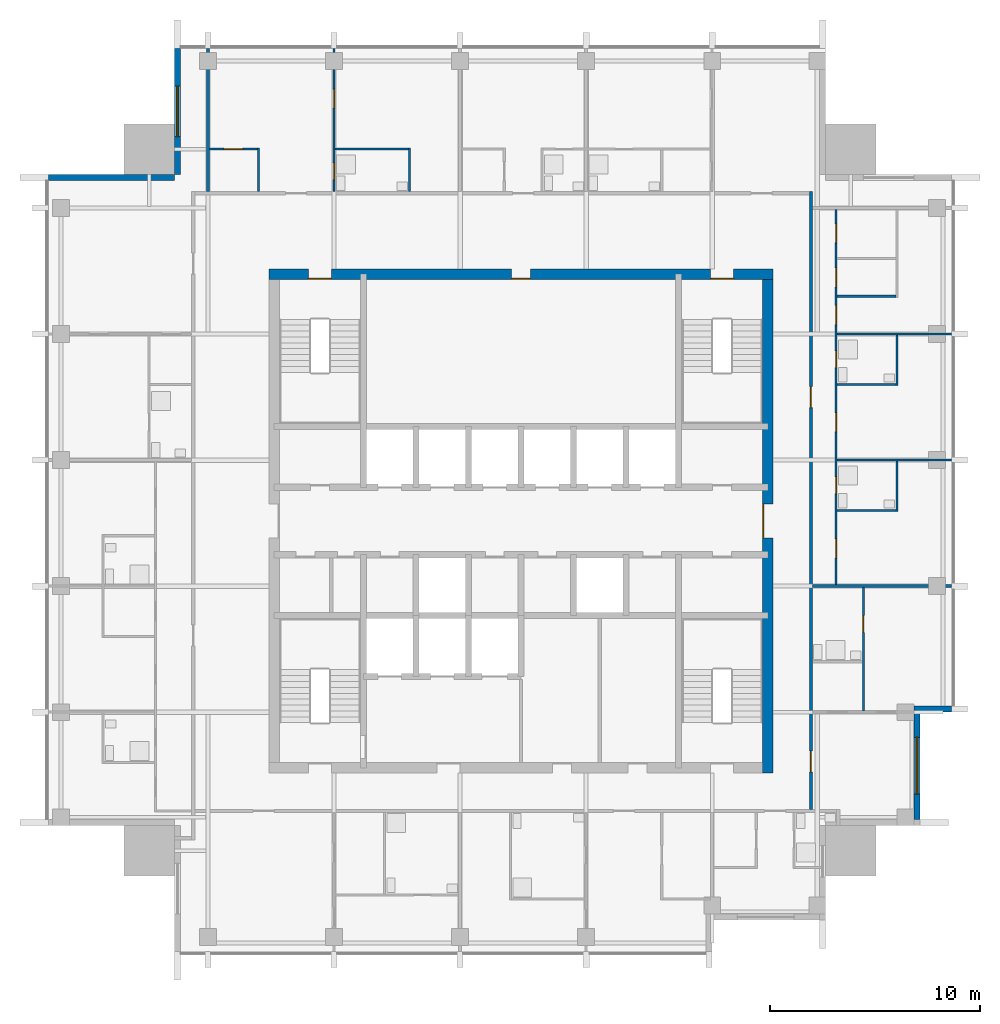
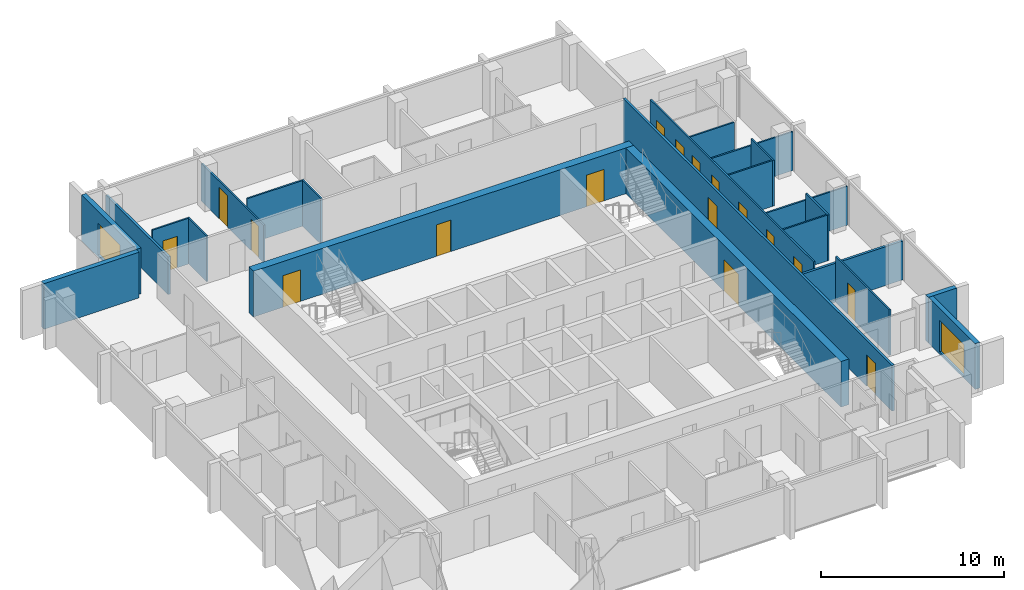
# One storey, part 6 of 9: 23 walls, 17 doors, 2 windows, 19 openings.
"""IFC4 building model written with IfcOpenShell, lengths in metres."""

from ifc_helpers import new_model, si_unit, direction, frame, frame_2d, origin, place, context, subcontext, project, spatial, rectangle, extrude, material, layer, layer_set, type_object, element, fill, save


model = new_model("IFC4")

# Units and contexts
model_context = context("Model", 3, precision=1e-05, world=origin(), true_north=direction((0.0, 1.0)))
body_context = subcontext(model_context, "Body", "Model", "MODEL_VIEW")
ifc_project = project(units=[si_unit("LENGTHUNIT", "METRE"), si_unit("AREAUNIT", "SQUARE_METRE"), si_unit("VOLUMEUNIT", "CUBIC_METRE"), si_unit("PLANEANGLEUNIT", "RADIAN"), si_unit("MASSUNIT", "GRAM", prefix="KILO")], contexts=[model_context])

# Site, building, storey
site_placement = place(None, origin())
site = spatial("IfcSite", under=ifc_project, at=site_placement, CompositionType="ELEMENT")
building_placement = place(site_placement, origin())
building = spatial("IfcBuilding", under=site, at=building_placement, Name="Amberfall Residences", CompositionType="ELEMENT")
storey_placement = place(building_placement, frame((0.0, 0.0, 262.0)))
storey = spatial("IfcBuildingStorey", under=building, at=storey_placement, Name="L70", CompositionType="ELEMENT", Elevation=262.0)

# Wall
ifc_material_1 = material(Name="Pale stone cladding on insulated backing", Category="masonry")
ifc_layer_1 = layer(ifc_material_1, 0.300048828125)
ifc_layer_set_1 = layer_set([ifc_layer_1], Name="Bronze clad wall 300")
wall_type_1 = type_object("IfcWallType", Name="Bronze clad wall 300", PredefinedType="SOLIDWALL", material=ifc_layer_set_1)
wall_1_placement = place(storey_placement, frame((93.199951171875, 36.550048828125, 0.0), z_axis=(0.0, 0.0, 1.0), x_axis=(1.0, 0.0, 0.0)))
element("IfcWall", 1, at=wall_1_placement, inside=storey, type_object=wall_type_1, Name="External wall L70 E", PredefinedType="SOLIDWALL", context=body_context, shape_type="SweptSolid", body=[
    extrude(rectangle(XDim=1.800048828125, YDim=0.300048828125, at=frame_2d((0.89990234375, 0.0))), origin(), (0.0, 0.0, 1.0), 3.050048828125),
])

# Wall, opening, window
wall_2_placement = place(storey_placement, frame((58.14990234375, 68.0, 0.0), z_axis=(0.0, 0.0, 1.0), x_axis=(0.0, -1.0, 0.0)))
wall_2 = element("IfcWall", 2, at=wall_2_placement, inside=storey, type_object=wall_type_1, Name="External wall L70 NW", PredefinedType="SOLIDWALL", context=body_context, shape_type="SweptSolid", body=[
    extrude(rectangle(XDim=6.0, YDim=0.300048828125, at=frame_2d((3.0, 0.0))), origin(), (0.0, 0.0, 1.0), 3.050048828125),
])
opening_1_placement = place(wall_2_placement, frame((1.800048828125, 0.0, 0.14990234375)))
opening_1 = element("IfcOpeningElement", 3, at=opening_1_placement, cuts=wall_2, Name="Opening WN5", PredefinedType="OPENING", context=body_context, shape_type="SweptSolid", body=[
    extrude(rectangle(XDim=2.39990234375, YDim=2.10009765625, at=frame_2d((1.199951171875, 1.050048828125))), frame((0.0, 0.159912109375, 0.0), z_axis=(0.0, -1.0, 0.0), x_axis=(1.0, 0.0, 0.0)), (0.0, 0.0, 1.0), 0.320068359375),
])
ifc_material_2 = material(Name="Bronze aluminium framed glazing", Category="aluminium")
window_type_1 = type_object("IfcWindowType", Name="Glazed opening 2400 x 2100 bronze", PartitioningType="DOUBLE_PANEL_VERTICAL", PredefinedType="WINDOW", material=ifc_material_2)
window_1_placement = place(opening_1_placement, origin())
window_1 = element("IfcWindow", 4, at=window_1_placement, inside=storey, type_object=window_type_1, Name="Window L70 NW", OverallHeight=2.10009765625, OverallWidth=2.39990234375, PartitioningType="DOUBLE_PANEL_VERTICAL", PredefinedType="WINDOW", context=body_context, shape_type="SweptSolid", body=[
    extrude(rectangle(XDim=2.39990234375, YDim=2.10009765625, at=frame_2d((1.199951171875, 1.050048828125))), frame((0.0, 0.030029296875, 0.0), z_axis=(0.0, -1.0, 0.0), x_axis=(1.0, 0.0, 0.0)), (0.0, 0.0, 1.0), 0.06005859375),
])
fill(opening_1, window_1)

# Wall
wall_3_placement = place(storey_placement, frame((58.0, 61.85009765625, 0.0), z_axis=(0.0, 0.0, 1.0), x_axis=(-1.0, 0.0, 0.0)))
element("IfcWall", 5, at=wall_3_placement, inside=storey, type_object=wall_type_1, Name="External wall L70 NW", PredefinedType="SOLIDWALL", context=body_context, shape_type="SweptSolid", body=[
    extrude(rectangle(XDim=6.0, YDim=0.300048828125, at=frame_2d((3.0, 0.0))), origin(), (0.0, 0.0, 1.0), 3.050048828125),
])

# Wall, opening, window
wall_4_placement = place(storey_placement, frame((93.35009765625, 31.300048828125, 0.0), z_axis=(0.0, 0.0, 1.0), x_axis=(0.0, 1.0, 0.0)))
wall_4 = element("IfcWall", 6, at=wall_4_placement, inside=storey, type_object=wall_type_1, Name="Stone wall L70 E", PredefinedType="SOLIDWALL", context=body_context, shape_type="SweptSolid", body=[
    extrude(rectangle(XDim=5.099853515625, YDim=0.300048828125, at=frame_2d((2.5498046875, 0.0))), origin(), (0.0, 0.0, 1.0), 3.050048828125),
])
opening_2_placement = place(wall_4_placement, frame((1.199951171875, 0.0, 0.14990234375)))
opening_2 = element("IfcOpeningElement", 7, at=opening_2_placement, cuts=wall_4, Name="Opening WN4", PredefinedType="OPENING", context=body_context, shape_type="SweptSolid", body=[
    extrude(rectangle(XDim=2.699951171875, YDim=2.10009765625, at=frame_2d((1.35009765625, 1.050048828125))), frame((0.0, 0.159912109375, 0.0), z_axis=(0.0, -1.0, 0.0), x_axis=(1.0, 0.0, 0.0)), (0.0, 0.0, 1.0), 0.320068359375),
])
window_type_2 = type_object("IfcWindowType", Name="Glazed opening 2700 x 2100 bronze", PartitioningType="DOUBLE_PANEL_VERTICAL", PredefinedType="WINDOW", material=ifc_material_2)
window_2_placement = place(opening_2_placement, origin())
window_2 = element("IfcWindow", 8, at=window_2_placement, inside=storey, type_object=window_type_2, Name="Window L70 E", OverallHeight=2.10009765625, OverallWidth=2.699951171875, PartitioningType="DOUBLE_PANEL_VERTICAL", PredefinedType="WINDOW", context=body_context, shape_type="SweptSolid", body=[
    extrude(rectangle(XDim=2.699951171875, YDim=2.10009765625, at=frame_2d((1.35009765625, 1.050048828125))), frame((0.0, 0.030029296875, 0.0), z_axis=(0.0, -1.0, 0.0), x_axis=(1.0, 0.0, 0.0)), (0.0, 0.0, 1.0), 0.06005859375),
])
fill(opening_2, window_2)

# Wall, openings, doors
ifc_material_3 = material(Name="Concrete C50", Category="concrete")
ifc_layer_2 = layer(ifc_material_3, 0.5)
ifc_layer_set_2 = layer_set([ifc_layer_2], Name="Core wall 500 C50")
wall_type_2 = type_object("IfcWallType", Name="Core wall 500 C50", PredefinedType="SHEAR", material=ifc_layer_set_2)
wall_5_placement = place(storey_placement, frame((62.5, 57.25, 0.0), z_axis=(0.0, 0.0, 1.0), x_axis=(1.0, 0.0, 0.0)))
wall_5 = element("IfcWall", 9, at=wall_5_placement, inside=storey, type_object=wall_type_2, Name="Core wall RW9 L70 ON", PredefinedType="SHEAR", context=body_context, shape_type="SweptSolid", body=[
    extrude(rectangle(XDim=24.0, YDim=0.5, at=frame_2d((12.0, 0.0))), origin(), (0.0, 0.0, 1.0), 3.050048828125),
])
opening_3_placement = place(wall_5_placement, frame((21.02490234375, 0.0, 0.0)))
opening_3 = element("IfcOpeningElement", 10, at=opening_3_placement, cuts=wall_5, Name="Opening SD1", PredefinedType="OPENING", context=body_context, shape_type="SweptSolid", body=[
    extrude(rectangle(XDim=1.10009765625, YDim=2.10009765625, at=frame_2d((0.550048828125, 1.050048828125))), frame((0.0, 0.260009765625, 0.0), z_axis=(0.0, -1.0, 0.0), x_axis=(1.0, 0.0, 0.0)), (0.0, 0.0, 1.0), 0.52001953125),
])
opening_4_placement = place(wall_5_placement, frame((1.875, 0.0, 0.0)))
opening_4 = element("IfcOpeningElement", 11, at=opening_4_placement, cuts=wall_5, Name="Opening SD1", PredefinedType="OPENING", context=body_context, shape_type="SweptSolid", body=[
    extrude(rectangle(XDim=1.10009765625, YDim=2.10009765625, at=frame_2d((0.550048828125, 1.050048828125))), frame((0.0, 0.260009765625, 0.0), z_axis=(0.0, -1.0, 0.0), x_axis=(1.0, 0.0, 0.0)), (0.0, 0.0, 1.0), 0.52001953125),
])
opening_5_placement = place(wall_5_placement, frame((11.550048828125, 0.0, 0.0)))
opening_5 = element("IfcOpeningElement", 12, at=opening_5_placement, cuts=wall_5, Name="Opening RD1", PredefinedType="OPENING", context=body_context, shape_type="SweptSolid", body=[
    extrude(rectangle(XDim=0.89990234375, YDim=2.10009765625, at=frame_2d((0.449951171875, 1.050048828125))), frame((0.0, 0.260009765625, 0.0), z_axis=(0.0, -1.0, 0.0), x_axis=(1.0, 0.0, 0.0)), (0.0, 0.0, 1.0), 0.52001953125),
])
ifc_material_4 = material(Name="Steel fire door set", Category="steel")
door_type_1 = type_object("IfcDoorType", Name="Service room door 900 x 2100", OperationType="SINGLE_SWING_LEFT", PredefinedType="DOOR", material=ifc_material_4)
door_1_placement = place(opening_5_placement, origin())
door_1 = element("IfcDoor", 13, at=door_1_placement, inside=storey, type_object=door_type_1, Name="RD1 L70", OperationType="SINGLE_SWING_RIGHT", OverallHeight=2.10009765625, OverallWidth=0.89990234375, PredefinedType="DOOR", context=body_context, shape_type="SweptSolid", body=[
    extrude(rectangle(XDim=0.89990234375, YDim=2.10009765625, at=frame_2d((0.449951171875, 1.050048828125))), frame((0.0, -0.1875, 0.0), z_axis=(0.0, -1.0, 0.0), x_axis=(1.0, 0.0, 0.0)), (0.0, 0.0, 1.0), 0.050048828125),
])
fill(opening_5, door_1)
door_type_2 = type_object("IfcDoorType", Name="Stair door 1100 x 2100", OperationType="SINGLE_SWING_LEFT", PredefinedType="DOOR", material=ifc_material_4)
door_2_placement = place(opening_3_placement, origin())
door_2 = element("IfcDoor", 14, at=door_2_placement, inside=storey, type_object=door_type_2, Name="SD1 L70", OperationType="SINGLE_SWING_RIGHT", OverallHeight=2.10009765625, OverallWidth=1.10009765625, PredefinedType="DOOR", context=body_context, shape_type="SweptSolid", body=[
    extrude(rectangle(XDim=1.10009765625, YDim=2.10009765625, at=frame_2d((0.550048828125, 1.050048828125))), frame((0.0, -0.1875, 0.0), z_axis=(0.0, -1.0, 0.0), x_axis=(1.0, 0.0, 0.0)), (0.0, 0.0, 1.0), 0.050048828125),
])
fill(opening_3, door_2)
door_3_placement = place(opening_4_placement, origin())
door_3 = element("IfcDoor", 15, at=door_3_placement, inside=storey, type_object=door_type_2, Name="SD1 L70", OperationType="SINGLE_SWING_LEFT", OverallHeight=2.10009765625, OverallWidth=1.10009765625, PredefinedType="DOOR", context=body_context, shape_type="SweptSolid", body=[
    extrude(rectangle(XDim=1.10009765625, YDim=2.10009765625, at=frame_2d((0.550048828125, 1.050048828125))), frame((0.0, -0.1875, 0.0), z_axis=(0.0, -1.0, 0.0), x_axis=(1.0, 0.0, 0.0)), (0.0, 0.0, 1.0), 0.050048828125),
])
fill(opening_4, door_3)

# Wall, opening, door
wall_6_placement = place(storey_placement, frame((86.25, 33.5, 0.0), z_axis=(0.0, 0.0, 1.0), x_axis=(0.0, 1.0, 0.0)))
wall_6 = element("IfcWall", 16, at=wall_6_placement, inside=storey, type_object=wall_type_2, Name="Core wall RW9 L70 OE", PredefinedType="SHEAR", context=body_context, shape_type="SweptSolid", body=[
    extrude(rectangle(XDim=24.0, YDim=0.5, at=frame_2d((12.0, 0.0))), origin(), (0.0, 0.0, 1.0), 3.050048828125),
])
opening_6_placement = place(wall_6_placement, frame((11.199951171875, 0.0, 0.0)))
opening_6 = element("IfcOpeningElement", 17, at=opening_6_placement, cuts=wall_6, Name="Opening LB1", PredefinedType="OPENING", context=body_context, shape_type="SweptSolid", body=[
    extrude(rectangle(XDim=1.60009765625, YDim=2.10009765625, at=frame_2d((0.800048828125, 1.050048828125))), frame((0.0, 0.260009765625, 0.0), z_axis=(0.0, -1.0, 0.0), x_axis=(1.0, 0.0, 0.0)), (0.0, 0.0, 1.0), 0.52001953125),
])
door_type_3 = type_object("IfcDoorType", Name="Lift lobby double door 1600 x 2100", OperationType="DOUBLE_DOOR_SINGLE_SWING", PredefinedType="DOOR", material=ifc_material_4)
door_4_placement = place(opening_6_placement, origin())
door_4 = element("IfcDoor", 18, at=door_4_placement, inside=storey, type_object=door_type_3, Name="LB1 L70", OperationType="DOUBLE_DOOR_SINGLE_SWING", OverallHeight=2.10009765625, OverallWidth=1.60009765625, PredefinedType="DOOR", context=body_context, shape_type="SweptSolid", body=[
    extrude(rectangle(XDim=1.60009765625, YDim=2.10009765625, at=frame_2d((0.800048828125, 1.050048828125))), frame((0.0, 0.2373046875, 0.0), z_axis=(0.0, -1.0, 0.0), x_axis=(1.0, 0.0, 0.0)), (0.0, 0.0, 1.0), 0.050048828125),
])
fill(opening_6, door_4)

# Wall
ifc_material_5 = material(Name="Gypsum board on metal stud")
ifc_layer_3 = layer(ifc_material_5, 0.10009765625)
ifc_layer_set_3 = layer_set([ifc_layer_3], Name="Flat partition 100")
wall_type_3 = type_object("IfcWallType", Name="Flat partition 100", PredefinedType="PARTITIONING", material=ifc_layer_set_3)
wall_7_placement = place(storey_placement, frame((62.0, 61.175048828125, 0.0), z_axis=(0.0, 0.0, 1.0), x_axis=(0.0, 1.0, 0.0)))
element("IfcWall", 19, at=wall_7_placement, inside=storey, type_object=wall_type_3, Name="Partition 005", PredefinedType="PARTITIONING", context=body_context, shape_type="SweptSolid", body=[
    extrude(rectangle(XDim=2.074951171875, YDim=0.10009765625, at=frame_2d((1.03759765625, 0.0))), origin(), (0.0, 0.0, 1.0), 3.050048828125),
])

# Wall, openings, doors
wall_8_placement = place(storey_placement, frame((65.60009765625, 68.0, 0.0), z_axis=(0.0, 0.0, 1.0), x_axis=(0.0, -1.0, 0.0)))
wall_8 = element("IfcWall", 20, at=wall_8_placement, inside=storey, type_object=wall_type_3, Name="Partition 007", PredefinedType="PARTITIONING", context=body_context, shape_type="SweptSolid", body=[
    extrude(rectangle(XDim=6.824951171875, YDim=0.10009765625, at=frame_2d((3.41259765625, 0.0))), origin(), (0.0, 0.0, 1.0), 2.51611328125),
])
opening_7_placement = place(wall_8_placement, frame((1.949951171875, 0.0, 0.0)))
opening_7 = element("IfcOpeningElement", 21, at=opening_7_placement, cuts=wall_8, Name="Opening D41", PredefinedType="OPENING", context=body_context, shape_type="SweptSolid", body=[
    extrude(rectangle(XDim=0.89990234375, YDim=2.10009765625, at=frame_2d((0.449951171875, 1.050048828125))), frame((0.0, 0.06005859375, 0.0), z_axis=(0.0, -1.0, 0.0), x_axis=(1.0, 0.0, 0.0)), (0.0, 0.0, 1.0), 0.1201171875),
])
opening_8_placement = place(wall_8_placement, frame((5.449951171875, 0.0, 0.0)))
opening_8 = element("IfcOpeningElement", 22, at=opening_8_placement, cuts=wall_8, Name="Opening D42", PredefinedType="OPENING", context=body_context, shape_type="SweptSolid", body=[
    extrude(rectangle(XDim=0.800048828125, YDim=2.10009765625, at=frame_2d((0.39990234375, 1.050048828125))), frame((0.0, 0.06005859375, 0.0), z_axis=(0.0, -1.0, 0.0), x_axis=(1.0, 0.0, 0.0)), (0.0, 0.0, 1.0), 0.1201171875),
])
ifc_material_6 = material(Name="Timber", Category="wood")
door_type_4 = type_object("IfcDoorType", Name="Bathroom door 800 x 2100", OperationType="SINGLE_SWING_LEFT", PredefinedType="DOOR", material=ifc_material_6)
door_5_placement = place(opening_8_placement, origin())
door_5 = element("IfcDoor", 23, at=door_5_placement, inside=storey, type_object=door_type_4, Name="Door 7006 bath1", OperationType="SINGLE_SWING_LEFT", OverallHeight=2.10009765625, OverallWidth=0.800048828125, PredefinedType="DOOR", context=body_context, shape_type="SweptSolid", body=[
    extrude(rectangle(XDim=0.800048828125, YDim=2.10009765625, at=frame_2d((0.39990234375, 1.050048828125))), frame((0.0, 0.02490234375, 0.0), z_axis=(0.0, -1.0, 0.0), x_axis=(1.0, 0.0, 0.0)), (0.0, 0.0, 1.0), 0.050048828125),
])
fill(opening_8, door_5)
door_type_5 = type_object("IfcDoorType", Name="Internal door 900 x 2100", OperationType="SINGLE_SWING_LEFT", PredefinedType="DOOR", material=ifc_material_6)
door_6_placement = place(opening_7_placement, origin())
door_6 = element("IfcDoor", 24, at=door_6_placement, inside=storey, type_object=door_type_5, Name="Door 7006 bedroom1", OperationType="SINGLE_SWING_LEFT", OverallHeight=2.10009765625, OverallWidth=0.89990234375, PredefinedType="DOOR", context=body_context, shape_type="SweptSolid", body=[
    extrude(rectangle(XDim=0.89990234375, YDim=2.10009765625, at=frame_2d((0.449951171875, 1.050048828125))), frame((0.0, 0.02490234375, 0.0), z_axis=(0.0, -1.0, 0.0), x_axis=(1.0, 0.0, 0.0)), (0.0, 0.0, 1.0), 0.050048828125),
])
fill(opening_7, door_6)

# Wall
wall_9_placement = place(storey_placement, frame((69.199951171875, 61.175048828125, 0.0), z_axis=(0.0, 0.0, 1.0), x_axis=(0.0, 1.0, 0.0)))
element("IfcWall", 25, at=wall_9_placement, inside=storey, type_object=wall_type_3, Name="Partition 009", PredefinedType="PARTITIONING", context=body_context, shape_type="SweptSolid", body=[
    extrude(rectangle(XDim=2.074951171875, YDim=0.10009765625, at=frame_2d((1.03759765625, 0.0))), origin(), (0.0, 0.0, 1.0), 3.050048828125),
])

# Wall, openings, doors
wall_10_placement = place(storey_placement, frame((89.5, 60.324951171875, 0.0), z_axis=(0.0, 0.0, 1.0), x_axis=(0.0, -1.0, 0.0)))
wall_10 = element("IfcWall", 26, at=wall_10_placement, inside=storey, type_object=wall_type_3, Name="Partition 019", PredefinedType="PARTITIONING", context=body_context, shape_type="SweptSolid", body=[
    extrude(rectangle(XDim=17.849853515625, YDim=0.10009765625, at=frame_2d((8.9248046875, 0.0))), origin(), (0.0, 0.0, 1.0), 3.050048828125),
])
opening_9_placement = place(wall_10_placement, frame((4.574951171875, 0.0, 0.0)))
opening_9 = element("IfcOpeningElement", 27, at=opening_9_placement, cuts=wall_10, Name="Opening D41", PredefinedType="OPENING", context=body_context, shape_type="SweptSolid", body=[
    extrude(rectangle(XDim=0.89990234375, YDim=2.10009765625, at=frame_2d((0.449951171875, 1.050048828125))), frame((0.0, 0.06005859375, 0.0), z_axis=(0.0, -1.0, 0.0), x_axis=(1.0, 0.0, 0.0)), (0.0, 0.0, 1.0), 0.1201171875),
])
opening_10_placement = place(wall_10_placement, frame((0.675048828125, 0.0, 0.0)))
opening_10 = element("IfcOpeningElement", 28, at=opening_10_placement, cuts=wall_10, Name="Opening D41", PredefinedType="OPENING", context=body_context, shape_type="SweptSolid", body=[
    extrude(rectangle(XDim=0.89990234375, YDim=2.10009765625, at=frame_2d((0.449951171875, 1.050048828125))), frame((0.0, 0.06005859375, 0.0), z_axis=(0.0, -1.0, 0.0), x_axis=(1.0, 0.0, 0.0)), (0.0, 0.0, 1.0), 0.1201171875),
])
opening_11_placement = place(wall_10_placement, frame((2.77490234375, 0.0, 0.0)))
opening_11 = element("IfcOpeningElement", 29, at=opening_11_placement, cuts=wall_10, Name="Opening D41", PredefinedType="OPENING", context=body_context, shape_type="SweptSolid", body=[
    extrude(rectangle(XDim=0.89990234375, YDim=2.10009765625, at=frame_2d((0.449951171875, 1.050048828125))), frame((0.0, 0.06005859375, 0.0), z_axis=(0.0, -1.0, 0.0), x_axis=(1.0, 0.0, 0.0)), (0.0, 0.0, 1.0), 0.1201171875),
])
opening_12_placement = place(wall_10_placement, frame((15.675048828125, 0.0, 0.0)))
opening_12 = element("IfcOpeningElement", 30, at=opening_12_placement, cuts=wall_10, Name="Opening D41", PredefinedType="OPENING", context=body_context, shape_type="SweptSolid", body=[
    extrude(rectangle(XDim=0.89990234375, YDim=2.10009765625, at=frame_2d((0.449951171875, 1.050048828125))), frame((0.0, 0.06005859375, 0.0), z_axis=(0.0, -1.0, 0.0), x_axis=(1.0, 0.0, 0.0)), (0.0, 0.0, 1.0), 0.1201171875),
])
opening_13_placement = place(wall_10_placement, frame((9.675048828125, 0.0, 0.0)))
opening_13 = element("IfcOpeningElement", 31, at=opening_13_placement, cuts=wall_10, Name="Opening D41", PredefinedType="OPENING", context=body_context, shape_type="SweptSolid", body=[
    extrude(rectangle(XDim=0.89990234375, YDim=2.10009765625, at=frame_2d((0.449951171875, 1.050048828125))), frame((0.0, 0.06005859375, 0.0), z_axis=(0.0, -1.0, 0.0), x_axis=(1.0, 0.0, 0.0)), (0.0, 0.0, 1.0), 0.1201171875),
])
opening_14_placement = place(wall_10_placement, frame((12.72509765625, 0.0, 0.0)))
opening_14 = element("IfcOpeningElement", 32, at=opening_14_placement, cuts=wall_10, Name="Opening D42", PredefinedType="OPENING", context=body_context, shape_type="SweptSolid", body=[
    extrude(rectangle(XDim=0.800048828125, YDim=2.10009765625, at=frame_2d((0.39990234375, 1.050048828125))), frame((0.0, 0.06005859375, 0.0), z_axis=(0.0, -1.0, 0.0), x_axis=(1.0, 0.0, 0.0)), (0.0, 0.0, 1.0), 0.1201171875),
])
opening_15_placement = place(wall_10_placement, frame((6.72509765625, 0.0, 0.0)))
opening_15 = element("IfcOpeningElement", 33, at=opening_15_placement, cuts=wall_10, Name="Opening D42", PredefinedType="OPENING", context=body_context, shape_type="SweptSolid", body=[
    extrude(rectangle(XDim=0.800048828125, YDim=2.10009765625, at=frame_2d((0.39990234375, 1.050048828125))), frame((0.0, 0.06005859375, 0.0), z_axis=(0.0, -1.0, 0.0), x_axis=(1.0, 0.0, 0.0)), (0.0, 0.0, 1.0), 0.1201171875),
])
door_7_placement = place(opening_14_placement, origin())
door_7 = element("IfcDoor", 34, at=door_7_placement, inside=storey, type_object=door_type_4, Name="Door 7005 bath1", OperationType="SINGLE_SWING_LEFT", OverallHeight=2.10009765625, OverallWidth=0.800048828125, PredefinedType="DOOR", context=body_context, shape_type="SweptSolid", body=[
    extrude(rectangle(XDim=0.800048828125, YDim=2.10009765625, at=frame_2d((0.39990234375, 1.050048828125))), frame((0.0, 0.02490234375, 0.0), z_axis=(0.0, -1.0, 0.0), x_axis=(1.0, 0.0, 0.0)), (0.0, 0.0, 1.0), 0.050048828125),
])
fill(opening_14, door_7)
door_8_placement = place(opening_15_placement, origin())
door_8 = element("IfcDoor", 35, at=door_8_placement, inside=storey, type_object=door_type_4, Name="Door 7005 bath2", OperationType="SINGLE_SWING_LEFT", OverallHeight=2.10009765625, OverallWidth=0.800048828125, PredefinedType="DOOR", context=body_context, shape_type="SweptSolid", body=[
    extrude(rectangle(XDim=0.800048828125, YDim=2.10009765625, at=frame_2d((0.39990234375, 1.050048828125))), frame((0.0, 0.02490234375, 0.0), z_axis=(0.0, -1.0, 0.0), x_axis=(1.0, 0.0, 0.0)), (0.0, 0.0, 1.0), 0.050048828125),
])
fill(opening_15, door_8)
door_9_placement = place(opening_9_placement, origin())
door_9 = element("IfcDoor", 36, at=door_9_placement, inside=storey, type_object=door_type_5, Name="Door 7005 living", OperationType="SINGLE_SWING_LEFT", OverallHeight=2.10009765625, OverallWidth=0.89990234375, PredefinedType="DOOR", context=body_context, shape_type="SweptSolid", body=[
    extrude(rectangle(XDim=0.89990234375, YDim=2.10009765625, at=frame_2d((0.449951171875, 1.050048828125))), frame((0.0, 0.02490234375, 0.0), z_axis=(0.0, -1.0, 0.0), x_axis=(1.0, 0.0, 0.0)), (0.0, 0.0, 1.0), 0.050048828125),
])
fill(opening_9, door_9)
door_10_placement = place(opening_10_placement, origin())
door_10 = element("IfcDoor", 37, at=door_10_placement, inside=storey, type_object=door_type_5, Name="Door 7005 kitchen", OperationType="SINGLE_SWING_LEFT", OverallHeight=2.10009765625, OverallWidth=0.89990234375, PredefinedType="DOOR", context=body_context, shape_type="SweptSolid", body=[
    extrude(rectangle(XDim=0.89990234375, YDim=2.10009765625, at=frame_2d((0.449951171875, 1.050048828125))), frame((0.0, 0.02490234375, 0.0), z_axis=(0.0, -1.0, 0.0), x_axis=(1.0, 0.0, 0.0)), (0.0, 0.0, 1.0), 0.050048828125),
])
fill(opening_10, door_10)
door_11_placement = place(opening_11_placement, origin())
door_11 = element("IfcDoor", 38, at=door_11_placement, inside=storey, type_object=door_type_5, Name="Door 7005 utility", OperationType="SINGLE_SWING_LEFT", OverallHeight=2.10009765625, OverallWidth=0.89990234375, PredefinedType="DOOR", context=body_context, shape_type="SweptSolid", body=[
    extrude(rectangle(XDim=0.89990234375, YDim=2.10009765625, at=frame_2d((0.449951171875, 1.050048828125))), frame((0.0, 0.02490234375, 0.0), z_axis=(0.0, -1.0, 0.0), x_axis=(1.0, 0.0, 0.0)), (0.0, 0.0, 1.0), 0.050048828125),
])
fill(opening_11, door_11)
door_12_placement = place(opening_12_placement, origin())
door_12 = element("IfcDoor", 39, at=door_12_placement, inside=storey, type_object=door_type_5, Name="Door 7005 bedroom1", OperationType="SINGLE_SWING_LEFT", OverallHeight=2.10009765625, OverallWidth=0.89990234375, PredefinedType="DOOR", context=body_context, shape_type="SweptSolid", body=[
    extrude(rectangle(XDim=0.89990234375, YDim=2.10009765625, at=frame_2d((0.449951171875, 1.050048828125))), frame((0.0, 0.02490234375, 0.0), z_axis=(0.0, -1.0, 0.0), x_axis=(1.0, 0.0, 0.0)), (0.0, 0.0, 1.0), 0.050048828125),
])
fill(opening_12, door_12)
door_13_placement = place(opening_13_placement, origin())
door_13 = element("IfcDoor", 40, at=door_13_placement, inside=storey, type_object=door_type_5, Name="Door 7005 bedroom2", OperationType="SINGLE_SWING_LEFT", OverallHeight=2.10009765625, OverallWidth=0.89990234375, PredefinedType="DOOR", context=body_context, shape_type="SweptSolid", body=[
    extrude(rectangle(XDim=0.89990234375, YDim=2.10009765625, at=frame_2d((0.449951171875, 1.050048828125))), frame((0.0, 0.02490234375, 0.0), z_axis=(0.0, -1.0, 0.0), x_axis=(1.0, 0.0, 0.0)), (0.0, 0.0, 1.0), 0.050048828125),
])
fill(opening_13, door_13)

# Wall, opening, door
wall_11_placement = place(storey_placement, frame((90.800048828125, 36.449951171875, 0.0), z_axis=(0.0, 0.0, 1.0), x_axis=(0.0, 1.0, 0.0)))
wall_11 = element("IfcWall", 41, at=wall_11_placement, inside=storey, type_object=wall_type_3, Name="Partition 020", PredefinedType="PARTITIONING", context=body_context, shape_type="SweptSolid", body=[
    extrude(rectangle(XDim=5.875, YDim=0.10009765625, at=frame_2d((2.9375, 0.0))), origin(), (0.0, 0.0, 1.0), 3.050048828125),
])
opening_16_placement = place(wall_11_placement, frame((3.75, 0.0, 0.0)))
opening_16 = element("IfcOpeningElement", 42, at=opening_16_placement, cuts=wall_11, Name="Opening D42", PredefinedType="OPENING", context=body_context, shape_type="SweptSolid", body=[
    extrude(rectangle(XDim=0.800048828125, YDim=2.10009765625, at=frame_2d((0.39990234375, 1.050048828125))), frame((0.0, 0.06005859375, 0.0), z_axis=(0.0, -1.0, 0.0), x_axis=(1.0, 0.0, 0.0)), (0.0, 0.0, 1.0), 0.1201171875),
])
door_14_placement = place(opening_16_placement, origin())
door_14 = element("IfcDoor", 43, at=door_14_placement, inside=storey, type_object=door_type_4, Name="Door 7004 bath1", OperationType="SINGLE_SWING_LEFT", OverallHeight=2.10009765625, OverallWidth=0.800048828125, PredefinedType="DOOR", context=body_context, shape_type="SweptSolid", body=[
    extrude(rectangle(XDim=0.800048828125, YDim=2.10009765625, at=frame_2d((0.39990234375, 1.050048828125))), frame((0.0, 0.02490234375, 0.0), z_axis=(0.0, -1.0, 0.0), x_axis=(1.0, 0.0, 0.0)), (0.0, 0.0, 1.0), 0.050048828125),
])
fill(opening_16, door_14)

# Walls
for number, where, z_axis, x_axis, name in (
    (44, (92.39990234375, 45.949951171875, 0.0), (0.0, 0.0, 1.0), (0.0, 1.0, 0.0), "Partition 021"),
    (45, (92.39990234375, 51.949951171875, 0.0), (0.0, 0.0, 1.0), (0.0, 1.0, 0.0), "Partition 022"),
):
    element("IfcWall", number, at=place(storey_placement, frame(where, z_axis=z_axis, x_axis=x_axis)), inside=storey, type_object=wall_type_3, Name=name, PredefinedType="PARTITIONING", context=body_context, shape_type="SweptSolid", body=[
        extrude(rectangle(XDim=2.400146484375, YDim=0.10009765625, at=frame_2d((1.2001953125, 0.0))), origin(), (0.0, 0.0, 1.0), 3.050048828125),
    ])

# Wall, opening, door
wall_12_placement = place(storey_placement, frame((61.949951171875, 63.199951171875, 0.0), z_axis=(0.0, 0.0, 1.0), x_axis=(-1.0, 0.0, 0.0)))
wall_12 = element("IfcWall", 46, at=wall_12_placement, inside=storey, type_object=wall_type_3, Name="Partition 024", PredefinedType="PARTITIONING", context=body_context, shape_type="SweptSolid", body=[
    extrude(rectangle(XDim=2.27490234375, YDim=0.10009765625, at=frame_2d((1.137451171875, 0.0))), origin(), (0.0, 0.0, 1.0), 3.050048828125),
])
opening_17_placement = place(wall_12_placement, frame((0.699951171875, 0.0, 0.0)))
opening_17 = element("IfcOpeningElement", 47, at=opening_17_placement, cuts=wall_12, Name="Opening D41", PredefinedType="OPENING", context=body_context, shape_type="SweptSolid", body=[
    extrude(rectangle(XDim=0.89990234375, YDim=2.10009765625, at=frame_2d((0.449951171875, 1.050048828125))), frame((0.0, 0.06005859375, 0.0), z_axis=(0.0, -1.0, 0.0), x_axis=(1.0, 0.0, 0.0)), (0.0, 0.0, 1.0), 0.1201171875),
])
door_15_placement = place(opening_17_placement, origin())
door_15 = element("IfcDoor", 48, at=door_15_placement, inside=storey, type_object=door_type_5, Name="Door 7006 kitchen", OperationType="SINGLE_SWING_LEFT", OverallHeight=2.10009765625, OverallWidth=0.89990234375, PredefinedType="DOOR", context=body_context, shape_type="SweptSolid", body=[
    extrude(rectangle(XDim=0.89990234375, YDim=2.10009765625, at=frame_2d((0.449951171875, 1.050048828125))), frame((0.0, 0.02490234375, 0.0), z_axis=(0.0, -1.0, 0.0), x_axis=(1.0, 0.0, 0.0)), (0.0, 0.0, 1.0), 0.050048828125),
])
fill(opening_17, door_15)

# Walls
wall_13_placement = place(storey_placement, frame((65.64990234375, 63.199951171875, 0.0), z_axis=(0.0, 0.0, 1.0), x_axis=(1.0, 0.0, 0.0)))
element("IfcWall", 49, at=wall_13_placement, inside=storey, type_object=wall_type_3, Name="Partition 025", PredefinedType="PARTITIONING", context=body_context, shape_type="SweptSolid", body=[
    extrude(rectangle(XDim=3.5, YDim=0.10009765625, at=frame_2d((1.75, 0.0))), origin(), (0.0, 0.0, 1.0), 3.050048828125),
])
wall_14_placement = place(storey_placement, frame((89.550048828125, 56.199951171875, 0.0), z_axis=(0.0, 0.0, 1.0), x_axis=(1.0, 0.0, 0.0)))
element("IfcWall", 50, at=wall_14_placement, inside=storey, type_object=wall_type_3, Name="Partition 029", PredefinedType="PARTITIONING", context=body_context, shape_type="SweptSolid", body=[
    extrude(rectangle(XDim=2.800048828125, YDim=0.10009765625, at=frame_2d((1.39990234375, 0.0))), origin(), (0.0, 0.0, 1.0), 3.050048828125),
])
wall_15_placement = place(storey_placement, frame((89.550048828125, 54.39990234375, 0.0), z_axis=(0.0, 0.0, 1.0), x_axis=(1.0, 0.0, 0.0)))
element("IfcWall", 51, at=wall_15_placement, inside=storey, type_object=wall_type_3, Name="Partition 031", PredefinedType="PARTITIONING", context=body_context, shape_type="SweptSolid", body=[
    extrude(rectangle(XDim=5.449951171875, YDim=0.10009765625, at=frame_2d((2.72509765625, 0.0))), origin(), (0.0, 0.0, 1.0), 2.590087890625),
])
wall_16_placement = place(storey_placement, frame((89.550048828125, 52.0, 0.0), z_axis=(0.0, 0.0, 1.0), x_axis=(1.0, 0.0, 0.0)))
element("IfcWall", 52, at=wall_16_placement, inside=storey, type_object=wall_type_3, Name="Partition 033", PredefinedType="PARTITIONING", context=body_context, shape_type="SweptSolid", body=[
    extrude(rectangle(XDim=2.800048828125, YDim=0.10009765625, at=frame_2d((1.39990234375, 0.0))), origin(), (0.0, 0.0, 1.0), 3.050048828125),
])
wall_17_placement = place(storey_placement, frame((89.550048828125, 48.39990234375, 0.0), z_axis=(0.0, 0.0, 1.0), x_axis=(1.0, 0.0, 0.0)))
element("IfcWall", 53, at=wall_17_placement, inside=storey, type_object=wall_type_3, Name="Partition 034", PredefinedType="PARTITIONING", context=body_context, shape_type="SweptSolid", body=[
    extrude(rectangle(XDim=5.449951171875, YDim=0.10009765625, at=frame_2d((2.72509765625, 0.0))), origin(), (0.0, 0.0, 1.0), 2.590087890625),
])
wall_18_placement = place(storey_placement, frame((89.550048828125, 46.0, 0.0), z_axis=(0.0, 0.0, 1.0), x_axis=(1.0, 0.0, 0.0)))
element("IfcWall", 54, at=wall_18_placement, inside=storey, type_object=wall_type_3, Name="Partition 035", PredefinedType="PARTITIONING", context=body_context, shape_type="SweptSolid", body=[
    extrude(rectangle(XDim=2.800048828125, YDim=0.10009765625, at=frame_2d((1.39990234375, 0.0))), origin(), (0.0, 0.0, 1.0), 3.050048828125),
])
ifc_material_7 = material(Name="Blockwork, plastered", Category="masonry")
ifc_layer_4 = layer(ifc_material_7, 0.14990234375)
ifc_layer_set_4 = layer_set([ifc_layer_4], Name="Flat separating wall 150")
wall_type_4 = type_object("IfcWallType", Name="Flat separating wall 150", PredefinedType="PARTITIONING", material=ifc_layer_set_4)
wall_19_placement = place(storey_placement, frame((59.60009765625, 61.175048828125, 0.0), z_axis=(0.0, 0.0, 1.0), x_axis=(0.0, 1.0, 0.0)))
element("IfcWall", 55, at=wall_19_placement, inside=storey, type_object=wall_type_4, Name="Separating wall 050", PredefinedType="PARTITIONING", context=body_context, shape_type="SweptSolid", body=[
    extrude(rectangle(XDim=6.824951171875, YDim=0.14990234375, at=frame_2d((3.41259765625, 0.0))), origin(), (0.0, 0.0, 1.0), 2.510009765625),
])

# Wall, openings, doors
wall_20_placement = place(storey_placement, frame((88.300048828125, 61.175048828125, 0.0), z_axis=(0.0, 0.0, 1.0), x_axis=(0.0, -1.0, 0.0)))
wall_20 = element("IfcWall", 56, at=wall_20_placement, inside=storey, type_object=wall_type_4, Name="Separating wall 055", PredefinedType="PARTITIONING", context=body_context, shape_type="SweptSolid", body=[
    extrude(rectangle(XDim=29.400146484375, YDim=0.14990234375, at=frame_2d((14.7001953125, 0.0))), origin(), (0.0, 0.0, 1.0), 3.050048828125),
])
opening_18_placement = place(wall_20_placement, frame((26.625, 0.0, 0.0)))
opening_18 = element("IfcOpeningElement", 57, at=opening_18_placement, cuts=wall_20, Name="Opening D40", PredefinedType="OPENING", context=body_context, shape_type="SweptSolid", body=[
    extrude(rectangle(XDim=1.0, YDim=2.10009765625, at=frame_2d((0.5, 1.050048828125))), frame((0.0, 0.0849609375, 0.0), z_axis=(0.0, -1.0, 0.0), x_axis=(1.0, 0.0, 0.0)), (0.0, 0.0, 1.0), 0.169921875),
])
opening_19_placement = place(wall_20_placement, frame((9.27490234375, 0.0, 0.0)))
opening_19 = element("IfcOpeningElement", 58, at=opening_19_placement, cuts=wall_20, Name="Opening D40", PredefinedType="OPENING", context=body_context, shape_type="SweptSolid", body=[
    extrude(rectangle(XDim=1.0, YDim=2.10009765625, at=frame_2d((0.5, 1.050048828125))), frame((0.0, 0.0849609375, 0.0), z_axis=(0.0, -1.0, 0.0), x_axis=(1.0, 0.0, 0.0)), (0.0, 0.0, 1.0), 0.169921875),
])
ifc_material_8 = material(Name="Timber, fire-rated", Category="wood")
door_type_6 = type_object("IfcDoorType", Name="Flat entrance door FD60 1000 x 2100", OperationType="SINGLE_SWING_LEFT", PredefinedType="DOOR", material=ifc_material_8)
door_16_placement = place(opening_18_placement, origin())
door_16 = element("IfcDoor", 59, at=door_16_placement, inside=storey, type_object=door_type_6, Name="Door 7004 entrance", OperationType="SINGLE_SWING_LEFT", OverallHeight=2.10009765625, OverallWidth=1.0, PredefinedType="DOOR", context=body_context, shape_type="SweptSolid", body=[
    extrude(rectangle(XDim=1.0, YDim=2.10009765625, at=frame_2d((0.5, 1.050048828125))), frame((0.0, 0.02490234375, 0.0), z_axis=(0.0, -1.0, 0.0), x_axis=(1.0, 0.0, 0.0)), (0.0, 0.0, 1.0), 0.050048828125),
])
fill(opening_18, door_16)
door_17_placement = place(opening_19_placement, origin())
door_17 = element("IfcDoor", 60, at=door_17_placement, inside=storey, type_object=door_type_6, Name="Door 7005 entrance", OperationType="SINGLE_SWING_LEFT", OverallHeight=2.10009765625, OverallWidth=1.0, PredefinedType="DOOR", context=body_context, shape_type="SweptSolid", body=[
    extrude(rectangle(XDim=1.0, YDim=2.10009765625, at=frame_2d((0.5, 1.050048828125))), frame((0.0, 0.02490234375, 0.0), z_axis=(0.0, -1.0, 0.0), x_axis=(1.0, 0.0, 0.0)), (0.0, 0.0, 1.0), 0.050048828125),
])
fill(opening_19, door_17)

# Wall
wall_21_placement = place(storey_placement, frame((88.375, 42.39990234375, 0.0), z_axis=(0.0, 0.0, 1.0), x_axis=(1.0, 0.0, 0.0)))
element("IfcWall", 61, at=wall_21_placement, inside=storey, type_object=wall_type_4, Name="Separating wall 060", PredefinedType="PARTITIONING", context=body_context, shape_type="SweptSolid", body=[
    extrude(rectangle(XDim=6.625, YDim=0.14990234375, at=frame_2d((3.3125, 0.0))), origin(), (0.0, 0.0, 1.0), 2.590087890625),
])

save(model, "model.ifc")
